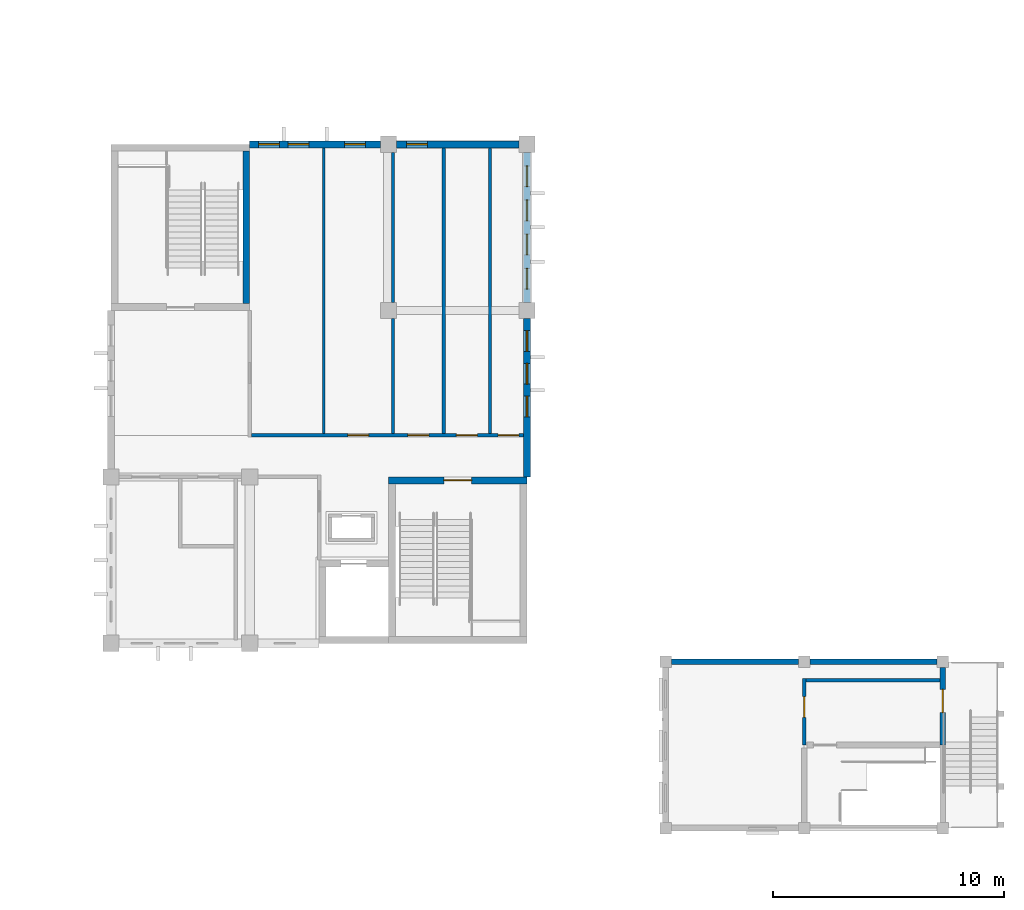
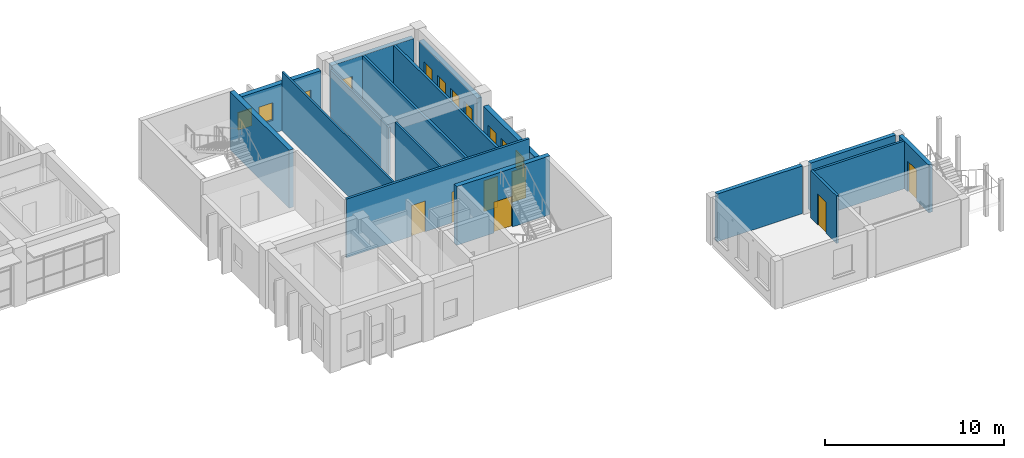
# One storey, part 35 of 47: 17 walls, 11 windows, 7 doors, 18 openings.
"""IFC4 building model written with IfcOpenShell, lengths in metres."""

from ifc_helpers import new_model, si_unit, direction, frame, frame_2d, origin, place, context, subcontext, project, spatial, rectangle, extrude, material, layer, layer_set, type_object, element, fill, save


model = new_model("IFC4")

# Units and contexts
model_context = context("Model", 3, precision=1e-05, world=origin(), true_north=direction((0.0, 1.0)))
body_context = subcontext(model_context, "Body", "Model", "MODEL_VIEW")
ifc_project = project(units=[si_unit("LENGTHUNIT", "METRE"), si_unit("AREAUNIT", "SQUARE_METRE"), si_unit("VOLUMEUNIT", "CUBIC_METRE"), si_unit("PLANEANGLEUNIT", "RADIAN"), si_unit("MASSUNIT", "GRAM", prefix="KILO")], contexts=[model_context])

# Site, building, storey
site_placement = place(None, origin())
site = spatial("IfcSite", under=ifc_project, at=site_placement, CompositionType="ELEMENT")
building_placement = place(site_placement, origin())
building = spatial("IfcBuilding", under=site, at=building_placement, Name="Laocheng Heights Fire and Rescue Headquarters", CompositionType="ELEMENT")
storey_placement = place(building_placement, frame((0.0, 0.0, 16.800048828125)))
storey = spatial("IfcBuildingStorey", under=building, at=storey_placement, Name="L04", CompositionType="ELEMENT", Elevation=16.800048828125)

# Walls
ifc_material_1 = material(Name="Gypsum plaster")
ifc_layer_1 = layer(ifc_material_1, 0.010009765625, Name="PLASTER", Category="plaster")
ifc_material_2 = material(Name="Concrete blockwork MU10", Category="masonry")
ifc_layer_2 = layer(ifc_material_2, 0.1298828125, Name="BLOCKWORK", Category="masonry")
ifc_layer_3 = layer(ifc_material_1, 0.010009765625, Name="PLASTER", Category="plaster")
ifc_layer_set_1 = layer_set([ifc_layer_1, ifc_layer_2, ifc_layer_3], Name="Concrete blockwork MU10")
wall_type_1 = type_object("IfcWallType", Name="BLOCKWORK CORRIDOR WALL 150 EI 60 CREW WING", PredefinedType="PARTITIONING", material=ifc_layer_set_1)
for number, where, z_axis, x_axis, name in (
    (1, (104.39990234375, 45.074951171875, 0.0), (0.0, 0.0, 1.0), (0.0, 1.0, 0.0), "Partition L04-008"),
    (2, (106.39990234375, 45.074951171875, 0.0), (0.0, 0.0, 1.0), (0.0, 1.0, 0.0), "Partition L04-009"),
):
    element("IfcWall", number, at=place(storey_placement, frame(where, z_axis=z_axis, x_axis=x_axis)), inside=storey, type_object=wall_type_1, Name=name, PredefinedType="PARTITIONING", context=body_context, shape_type="SweptSolid", body=[
        extrude(rectangle(XDim=12.375, YDim=0.14990234375, at=frame_2d((6.1875, 0.0))), origin(), (0.0, 0.0, 1.0), 3.300048828125),
    ])

# Wall, openings, doors
wall_1_placement = place(storey_placement, frame((96.074951171875, 45.0, 0.0), z_axis=(0.0, 0.0, 1.0), x_axis=(1.0, 0.0, 0.0)))
wall_1 = element("IfcWall", 3, at=wall_1_placement, inside=storey, type_object=wall_type_1, Name="Partition L04-012", PredefinedType="PARTITIONING", context=body_context, shape_type="SweptSolid", body=[
    extrude(rectangle(XDim=11.775146484375, YDim=0.14990234375, at=frame_2d((5.8876953125, 0.0))), origin(), (0.0, 0.0, 1.0), 4.0),
])
opening_1_placement = place(wall_1_placement, frame((4.175048828125, 0.0, 0.0)))
opening_1 = element("IfcOpeningElement", 4, at=opening_1_placement, cuts=wall_1, Name="Opening L04-T05", PredefinedType="OPENING", context=body_context, shape_type="SweptSolid", body=[
    extrude(rectangle(XDim=0.89990234375, YDim=2.10009765625, at=frame_2d((0.449951171875, 1.050048828125))), frame((0.0, 0.0849609375, 0.0), z_axis=(0.0, -1.0, 0.0), x_axis=(1.0, 0.0, 0.0)), (0.0, 0.0, 1.0), 0.169921875),
])
opening_2_placement = place(wall_1_placement, frame((6.77490234375, 0.0, 0.0)))
opening_2 = element("IfcOpeningElement", 5, at=opening_2_placement, cuts=wall_1, Name="Opening L04-T06", PredefinedType="OPENING", context=body_context, shape_type="SweptSolid", body=[
    extrude(rectangle(XDim=0.89990234375, YDim=2.10009765625, at=frame_2d((0.449951171875, 1.050048828125))), frame((0.0, 0.0849609375, 0.0), z_axis=(0.0, -1.0, 0.0), x_axis=(1.0, 0.0, 0.0)), (0.0, 0.0, 1.0), 0.169921875),
])
opening_3_placement = place(wall_1_placement, frame((8.875, 0.0, 0.0)))
opening_3 = element("IfcOpeningElement", 6, at=opening_3_placement, cuts=wall_1, Name="Opening L04-T07", PredefinedType="OPENING", context=body_context, shape_type="SweptSolid", body=[
    extrude(rectangle(XDim=0.89990234375, YDim=2.10009765625, at=frame_2d((0.449951171875, 1.050048828125))), frame((0.0, 0.0849609375, 0.0), z_axis=(0.0, -1.0, 0.0), x_axis=(1.0, 0.0, 0.0)), (0.0, 0.0, 1.0), 0.169921875),
])
opening_4_placement = place(wall_1_placement, frame((10.675048828125, 0.0, 0.0)))
opening_4 = element("IfcOpeningElement", 7, at=opening_4_placement, cuts=wall_1, Name="Opening L04-T08", PredefinedType="OPENING", context=body_context, shape_type="SweptSolid", body=[
    extrude(rectangle(XDim=0.89990234375, YDim=2.10009765625, at=frame_2d((0.449951171875, 1.050048828125))), frame((0.0, 0.0849609375, 0.0), z_axis=(0.0, -1.0, 0.0), x_axis=(1.0, 0.0, 0.0)), (0.0, 0.0, 1.0), 0.169921875),
])
ifc_material_3 = material(Name="Timber door leaf, veneered", Category="wood")
door_type_1 = type_object("IfcDoorType", Name="TIMBER DOOR 900x2100 EI 30 CREW WING", OperationType="SINGLE_SWING_LEFT", PredefinedType="DOOR", material=ifc_material_3)
door_1_placement = place(opening_1_placement, origin())
door_1 = element("IfcDoor", 8, at=door_1_placement, inside=storey, type_object=door_type_1, Name="Door L04-T05", OperationType="SINGLE_SWING_LEFT", OverallHeight=2.10009765625, OverallWidth=0.89990234375, PredefinedType="DOOR", context=body_context, shape_type="SweptSolid", body=[
    extrude(rectangle(XDim=0.89990234375, YDim=2.10009765625, at=frame_2d((0.449951171875, 1.050048828125))), frame((0.0, 0.02490234375, 0.0), z_axis=(0.0, -1.0, 0.0), x_axis=(1.0, 0.0, 0.0)), (0.0, 0.0, 1.0), 0.050048828125),
])
fill(opening_1, door_1)
door_2_placement = place(opening_2_placement, origin())
door_2 = element("IfcDoor", 9, at=door_2_placement, inside=storey, type_object=door_type_1, Name="Door L04-T06", OperationType="SINGLE_SWING_RIGHT", OverallHeight=2.10009765625, OverallWidth=0.89990234375, PredefinedType="DOOR", context=body_context, shape_type="SweptSolid", body=[
    extrude(rectangle(XDim=0.89990234375, YDim=2.10009765625, at=frame_2d((0.449951171875, 1.050048828125))), frame((0.0, 0.02490234375, 0.0), z_axis=(0.0, -1.0, 0.0), x_axis=(1.0, 0.0, 0.0)), (0.0, 0.0, 1.0), 0.050048828125),
])
fill(opening_2, door_2)
door_3_placement = place(opening_3_placement, origin())
door_3 = element("IfcDoor", 10, at=door_3_placement, inside=storey, type_object=door_type_1, Name="Door L04-T07", OperationType="SINGLE_SWING_LEFT", OverallHeight=2.10009765625, OverallWidth=0.89990234375, PredefinedType="DOOR", context=body_context, shape_type="SweptSolid", body=[
    extrude(rectangle(XDim=0.89990234375, YDim=2.10009765625, at=frame_2d((0.449951171875, 1.050048828125))), frame((0.0, 0.02490234375, 0.0), z_axis=(0.0, -1.0, 0.0), x_axis=(1.0, 0.0, 0.0)), (0.0, 0.0, 1.0), 0.050048828125),
])
fill(opening_3, door_3)
door_4_placement = place(opening_4_placement, origin())
door_4 = element("IfcDoor", 11, at=door_4_placement, inside=storey, type_object=door_type_1, Name="Door L04-T08", OperationType="SINGLE_SWING_RIGHT", OverallHeight=2.10009765625, OverallWidth=0.89990234375, PredefinedType="DOOR", context=body_context, shape_type="SweptSolid", body=[
    extrude(rectangle(XDim=0.89990234375, YDim=2.10009765625, at=frame_2d((0.449951171875, 1.050048828125))), frame((0.0, 0.02490234375, 0.0), z_axis=(0.0, -1.0, 0.0), x_axis=(1.0, 0.0, 0.0)), (0.0, 0.0, 1.0), 0.050048828125),
])
fill(opening_4, door_4)

# Wall, opening, door
ifc_material_4 = material(Name="Gypsum plaster")
ifc_layer_4 = layer(ifc_material_4, 0.010009765625, Name="PLASTER", Category="plaster")
ifc_material_5 = material(Name="Concrete blockwork MU10", Category="masonry")
ifc_layer_5 = layer(ifc_material_5, 0.1298828125, Name="BLOCKWORK", Category="masonry")
ifc_layer_6 = layer(ifc_material_4, 0.010009765625, Name="PLASTER", Category="plaster")
ifc_layer_set_2 = layer_set([ifc_layer_4, ifc_layer_5, ifc_layer_6], Name="Concrete blockwork MU10")
wall_type_2 = type_object("IfcWallType", Name="BLOCKWORK STAIR LANDING WALL 150 EI 120 DRILL TOWER", PredefinedType="PARTITIONING", material=ifc_layer_set_2)
wall_2_placement = place(storey_placement, frame((120.0, 31.60009765625, 0.699951171875), z_axis=(0.0, 0.0, 1.0), x_axis=(0.0, 1.0, 0.0)))
wall_2 = element("IfcWall", 12, at=wall_2_placement, inside=storey, type_object=wall_type_2, Name="Landing partition F6", PredefinedType="PARTITIONING", context=body_context, shape_type="SweptSolid", body=[
    extrude(rectangle(XDim=2.875, YDim=0.14990234375, at=frame_2d((1.4375, 0.0))), origin(), (0.0, 0.0, 1.0), 3.25),
])
opening_5_placement = place(wall_2_placement, frame((1.1875, 0.0, 0.0)))
opening_5 = element("IfcOpeningElement", 13, at=opening_5_placement, cuts=wall_2, Name="Opening L04-L51", PredefinedType="OPENING", context=body_context, shape_type="SweptSolid", body=[
    extrude(rectangle(XDim=0.89990234375, YDim=2.10009765625, at=frame_2d((0.449951171875, 1.050048828125))), frame((0.0, 0.0849609375, 0.0), z_axis=(0.0, -1.0, 0.0), x_axis=(1.0, 0.0, 0.0)), (0.0, 0.0, 1.0), 0.169921875),
])
ifc_material_6 = material(Name="Steel door leaf, painted", Category="steel")
door_type_2 = type_object("IfcDoorType", Name="STEEL FIRE DOOR 900x2100 EI 90 DRILL TOWER", OperationType="SINGLE_SWING_LEFT", PredefinedType="DOOR", material=ifc_material_6)
door_5_placement = place(opening_5_placement, frame((0.89990234375, 0.0, 0.0), z_axis=(0.0, 0.0, 1.0), x_axis=(-1.0, 0.0, 0.0)))
door_5 = element("IfcDoor", 14, at=door_5_placement, inside=storey, type_object=door_type_2, Name="Door L04-L51", OperationType="SINGLE_SWING_LEFT", OverallHeight=2.10009765625, OverallWidth=0.89990234375, PredefinedType="DOOR", context=body_context, shape_type="SweptSolid", body=[
    extrude(rectangle(XDim=0.89990234375, YDim=2.10009765625, at=frame_2d((0.449951171875, 1.050048828125))), frame((0.0, 0.02490234375, 0.0), z_axis=(0.0, -1.0, 0.0), x_axis=(1.0, 0.0, 0.0)), (0.0, 0.0, 1.0), 0.050048828125),
])
fill(opening_5, door_5)

# Wall
wall_3_placement = place(storey_placement, frame((120.074951171875, 34.39990234375, 0.699951171875), z_axis=(0.0, 0.0, 1.0), x_axis=(1.0, 0.0, 0.0)))
element("IfcWall", 15, at=wall_3_placement, inside=storey, type_object=wall_type_2, Name="Landing partition F6", PredefinedType="PARTITIONING", context=body_context, shape_type="SweptSolid", body=[
    extrude(rectangle(XDim=5.800048828125, YDim=0.14990234375, at=frame_2d((2.89990234375, 0.0))), origin(), (0.0, 0.0, 1.0), 3.25),
])

# Wall, openings, windows
ifc_material_7 = material(Name="Precast concrete C40/50", Category="concrete")
ifc_layer_7 = layer(ifc_material_7, 0.300048828125)
ifc_layer_set_3 = layer_set([ifc_layer_7], Name="Precast concrete C40/50")
wall_type_3 = type_object("IfcWallType", Name="PRECAST WALL PANEL CREW 300", PredefinedType="SOLIDWALL", material=ifc_layer_set_3)
wall_4_placement = place(storey_placement, frame((108.0, 43.199951171875, 0.0), z_axis=(0.0, 0.0, 1.0), x_axis=(0.0, 1.0, 0.0)))
wall_4 = element("IfcWall", 16, at=wall_4_placement, inside=storey, type_object=wall_type_3, Name="PRECAST WALL PANEL CREW CREW EAST L04", PredefinedType="SOLIDWALL", context=body_context, shape_type="SweptSolid", body=[
    extrude(rectangle(XDim=6.85009765625, YDim=0.300048828125, at=frame_2d((3.425048828125, 0.0))), origin(), (0.0, 0.0, 1.0), 3.099853515625),
])
opening_6_placement = place(wall_4_placement, frame((2.597412109375, 0.0, 0.89990234375)))
opening_6 = element("IfcOpeningElement", 17, at=opening_6_placement, cuts=wall_4, Name="Opening N2-W", PredefinedType="OPENING", context=body_context, shape_type="SweptSolid", body=[
    extrude(rectangle(XDim=0.89990234375, YDim=1.199951171875, at=frame_2d((0.449951171875, 0.60009765625))), frame((0.0, 0.159912109375, 0.0), z_axis=(0.0, -1.0, 0.0), x_axis=(1.0, 0.0, 0.0)), (0.0, 0.0, 1.0), 0.320068359375),
])
opening_7_placement = place(wall_4_placement, frame((4.014892578125, 0.0, 0.89990234375)))
opening_7 = element("IfcOpeningElement", 18, at=opening_7_placement, cuts=wall_4, Name="Opening N2-W", PredefinedType="OPENING", context=body_context, shape_type="SweptSolid", body=[
    extrude(rectangle(XDim=0.89990234375, YDim=1.199951171875, at=frame_2d((0.449951171875, 0.60009765625))), frame((0.0, 0.159912109375, 0.0), z_axis=(0.0, -1.0, 0.0), x_axis=(1.0, 0.0, 0.0)), (0.0, 0.0, 1.0), 0.320068359375),
])
opening_8_placement = place(wall_4_placement, frame((5.4326171875, 0.0, 0.89990234375)))
opening_8 = element("IfcOpeningElement", 19, at=opening_8_placement, cuts=wall_4, Name="Opening N2-W", PredefinedType="OPENING", context=body_context, shape_type="SweptSolid", body=[
    extrude(rectangle(XDim=0.89990234375, YDim=1.199951171875, at=frame_2d((0.449951171875, 0.60009765625))), frame((0.0, 0.159912109375, 0.0), z_axis=(0.0, -1.0, 0.0), x_axis=(1.0, 0.0, 0.0)), (0.0, 0.0, 1.0), 0.320068359375),
])
ifc_material_8 = material(Name="Low-e double glazing in aluminium frame", Category="aluminium")
window_type = type_object("IfcWindowType", Name="WINDOW 900 x 1200 CREW DORMITORY", PartitioningType="SINGLE_PANEL", PredefinedType="WINDOW", material=ifc_material_8)
window_1_placement = place(opening_6_placement, origin())
window_1 = element("IfcWindow", 20, at=window_1_placement, inside=storey, type_object=window_type, Name="CREW DORMITORY CREW EAST L04", OverallHeight=1.199951171875, OverallWidth=0.89990234375, PartitioningType="SINGLE_PANEL", PredefinedType="WINDOW", context=body_context, shape_type="SweptSolid", body=[
    extrude(rectangle(XDim=0.89990234375, YDim=1.199951171875, at=frame_2d((0.449951171875, 0.60009765625))), frame((0.0, 0.030029296875, 0.0), z_axis=(0.0, -1.0, 0.0), x_axis=(1.0, 0.0, 0.0)), (0.0, 0.0, 1.0), 0.06005859375),
])
fill(opening_6, window_1)
window_2_placement = place(opening_7_placement, origin())
window_2 = element("IfcWindow", 21, at=window_2_placement, inside=storey, type_object=window_type, Name="CREW DORMITORY CREW EAST L04", OverallHeight=1.199951171875, OverallWidth=0.89990234375, PartitioningType="SINGLE_PANEL", PredefinedType="WINDOW", context=body_context, shape_type="SweptSolid", body=[
    extrude(rectangle(XDim=0.89990234375, YDim=1.199951171875, at=frame_2d((0.449951171875, 0.60009765625))), frame((0.0, 0.030029296875, 0.0), z_axis=(0.0, -1.0, 0.0), x_axis=(1.0, 0.0, 0.0)), (0.0, 0.0, 1.0), 0.06005859375),
])
fill(opening_7, window_2)
window_3_placement = place(opening_8_placement, origin())
window_3 = element("IfcWindow", 22, at=window_3_placement, inside=storey, type_object=window_type, Name="CREW DORMITORY CREW EAST L04", OverallHeight=1.199951171875, OverallWidth=0.89990234375, PartitioningType="SINGLE_PANEL", PredefinedType="WINDOW", context=body_context, shape_type="SweptSolid", body=[
    extrude(rectangle(XDim=0.89990234375, YDim=1.199951171875, at=frame_2d((0.449951171875, 0.60009765625))), frame((0.0, 0.030029296875, 0.0), z_axis=(0.0, -1.0, 0.0), x_axis=(1.0, 0.0, 0.0)), (0.0, 0.0, 1.0), 0.06005859375),
])
fill(opening_8, window_3)

wall_5_placement = place(storey_placement, frame((108.0, 50.75, 0.0), z_axis=(0.0, 0.0, 1.0), x_axis=(0.0, 1.0, 0.0)))
wall_5 = element("IfcWall", 23, at=wall_5_placement, inside=storey, type_object=wall_type_3, Name="PRECAST WALL PANEL CREW CREW EAST L04", PredefinedType="SOLIDWALL", context=body_context, shape_type="SweptSolid", body=[
    extrude(rectangle(XDim=6.5, YDim=0.300048828125, at=frame_2d((3.25, 0.0))), origin(), (0.0, 0.0, 1.0), 3.199951171875),
])
opening_9_placement = place(wall_5_placement, frame((0.580078125, 0.0, 0.89990234375)))
opening_9 = element("IfcOpeningElement", 24, at=opening_9_placement, cuts=wall_5, Name="Opening N2-W", PredefinedType="OPENING", context=body_context, shape_type="SweptSolid", body=[
    extrude(rectangle(XDim=0.89990234375, YDim=1.199951171875, at=frame_2d((0.449951171875, 0.60009765625))), frame((0.0, 0.159912109375, 0.0), z_axis=(0.0, -1.0, 0.0), x_axis=(1.0, 0.0, 0.0)), (0.0, 0.0, 1.0), 0.320068359375),
])
opening_10_placement = place(wall_5_placement, frame((2.06005859375, 0.0, 0.89990234375)))
opening_10 = element("IfcOpeningElement", 25, at=opening_10_placement, cuts=wall_5, Name="Opening N2-W", PredefinedType="OPENING", context=body_context, shape_type="SweptSolid", body=[
    extrude(rectangle(XDim=0.89990234375, YDim=1.199951171875, at=frame_2d((0.449951171875, 0.60009765625))), frame((0.0, 0.159912109375, 0.0), z_axis=(0.0, -1.0, 0.0), x_axis=(1.0, 0.0, 0.0)), (0.0, 0.0, 1.0), 0.320068359375),
])
opening_11_placement = place(wall_5_placement, frame((3.5400390625, 0.0, 0.89990234375)))
opening_11 = element("IfcOpeningElement", 26, at=opening_11_placement, cuts=wall_5, Name="Opening N2-W", PredefinedType="OPENING", context=body_context, shape_type="SweptSolid", body=[
    extrude(rectangle(XDim=0.89990234375, YDim=1.199951171875, at=frame_2d((0.449951171875, 0.60009765625))), frame((0.0, 0.159912109375, 0.0), z_axis=(0.0, -1.0, 0.0), x_axis=(1.0, 0.0, 0.0)), (0.0, 0.0, 1.0), 0.320068359375),
])
opening_12_placement = place(wall_5_placement, frame((5.02001953125, 0.0, 0.89990234375)))
opening_12 = element("IfcOpeningElement", 27, at=opening_12_placement, cuts=wall_5, Name="Opening N2-W", PredefinedType="OPENING", context=body_context, shape_type="SweptSolid", body=[
    extrude(rectangle(XDim=0.89990234375, YDim=1.199951171875, at=frame_2d((0.449951171875, 0.60009765625))), frame((0.0, 0.159912109375, 0.0), z_axis=(0.0, -1.0, 0.0), x_axis=(1.0, 0.0, 0.0)), (0.0, 0.0, 1.0), 0.320068359375),
])
window_4_placement = place(opening_9_placement, origin())
window_4 = element("IfcWindow", 28, at=window_4_placement, inside=storey, type_object=window_type, Name="CREW DORMITORY CREW EAST L04", OverallHeight=1.199951171875, OverallWidth=0.89990234375, PartitioningType="SINGLE_PANEL", PredefinedType="WINDOW", context=body_context, shape_type="SweptSolid", body=[
    extrude(rectangle(XDim=0.89990234375, YDim=1.199951171875, at=frame_2d((0.449951171875, 0.60009765625))), frame((0.0, 0.030029296875, 0.0), z_axis=(0.0, -1.0, 0.0), x_axis=(1.0, 0.0, 0.0)), (0.0, 0.0, 1.0), 0.06005859375),
])
fill(opening_9, window_4)
window_5_placement = place(opening_10_placement, origin())
window_5 = element("IfcWindow", 29, at=window_5_placement, inside=storey, type_object=window_type, Name="CREW DORMITORY CREW EAST L04", OverallHeight=1.199951171875, OverallWidth=0.89990234375, PartitioningType="SINGLE_PANEL", PredefinedType="WINDOW", context=body_context, shape_type="SweptSolid", body=[
    extrude(rectangle(XDim=0.89990234375, YDim=1.199951171875, at=frame_2d((0.449951171875, 0.60009765625))), frame((0.0, 0.030029296875, 0.0), z_axis=(0.0, -1.0, 0.0), x_axis=(1.0, 0.0, 0.0)), (0.0, 0.0, 1.0), 0.06005859375),
])
fill(opening_10, window_5)
window_6_placement = place(opening_11_placement, origin())
window_6 = element("IfcWindow", 30, at=window_6_placement, inside=storey, type_object=window_type, Name="CREW DORMITORY CREW EAST L04", OverallHeight=1.199951171875, OverallWidth=0.89990234375, PartitioningType="SINGLE_PANEL", PredefinedType="WINDOW", context=body_context, shape_type="SweptSolid", body=[
    extrude(rectangle(XDim=0.89990234375, YDim=1.199951171875, at=frame_2d((0.449951171875, 0.60009765625))), frame((0.0, 0.030029296875, 0.0), z_axis=(0.0, -1.0, 0.0), x_axis=(1.0, 0.0, 0.0)), (0.0, 0.0, 1.0), 0.06005859375),
])
fill(opening_11, window_6)
window_7_placement = place(opening_12_placement, origin())
window_7 = element("IfcWindow", 31, at=window_7_placement, inside=storey, type_object=window_type, Name="CREW DORMITORY CREW EAST L04", OverallHeight=1.199951171875, OverallWidth=0.89990234375, PartitioningType="SINGLE_PANEL", PredefinedType="WINDOW", context=body_context, shape_type="SweptSolid", body=[
    extrude(rectangle(XDim=0.89990234375, YDim=1.199951171875, at=frame_2d((0.449951171875, 0.60009765625))), frame((0.0, 0.030029296875, 0.0), z_axis=(0.0, -1.0, 0.0), x_axis=(1.0, 0.0, 0.0)), (0.0, 0.0, 1.0), 0.06005859375),
])
fill(opening_12, window_7)

wall_6_placement = place(storey_placement, frame((96.0, 57.60009765625, 0.0), z_axis=(0.0, 0.0, 1.0), x_axis=(1.0, 0.0, 0.0)))
wall_6 = element("IfcWall", 32, at=wall_6_placement, inside=storey, type_object=wall_type_3, Name="PRECAST WALL PANEL CREW CREW NORTH L04", PredefinedType="SOLIDWALL", context=body_context, shape_type="SweptSolid", body=[
    extrude(rectangle(XDim=5.64990234375, YDim=0.300048828125, at=frame_2d((2.824951171875, 0.0))), origin(), (0.0, 0.0, 1.0), 3.199951171875),
])
opening_13_placement = place(wall_6_placement, frame((0.3798828125, 0.0, 0.89990234375)))
opening_13 = element("IfcOpeningElement", 33, at=opening_13_placement, cuts=wall_6, Name="Opening N2-W", PredefinedType="OPENING", context=body_context, shape_type="SweptSolid", body=[
    extrude(rectangle(XDim=0.89990234375, YDim=1.199951171875, at=frame_2d((0.449951171875, 0.60009765625))), frame((0.0, 0.159912109375, 0.0), z_axis=(0.0, -1.0, 0.0), x_axis=(1.0, 0.0, 0.0)), (0.0, 0.0, 1.0), 0.320068359375),
])
opening_14_placement = place(wall_6_placement, frame((1.659912109375, 0.0, 0.89990234375)))
opening_14 = element("IfcOpeningElement", 34, at=opening_14_placement, cuts=wall_6, Name="Opening N2-W", PredefinedType="OPENING", context=body_context, shape_type="SweptSolid", body=[
    extrude(rectangle(XDim=0.89990234375, YDim=1.199951171875, at=frame_2d((0.449951171875, 0.60009765625))), frame((0.0, 0.159912109375, 0.0), z_axis=(0.0, -1.0, 0.0), x_axis=(1.0, 0.0, 0.0)), (0.0, 0.0, 1.0), 0.320068359375),
])
opening_15_placement = place(wall_6_placement, frame((4.10498046875, 0.0, 0.89990234375)))
opening_15 = element("IfcOpeningElement", 35, at=opening_15_placement, cuts=wall_6, Name="Opening N2-W", PredefinedType="OPENING", context=body_context, shape_type="SweptSolid", body=[
    extrude(rectangle(XDim=0.89990234375, YDim=1.199951171875, at=frame_2d((0.449951171875, 0.60009765625))), frame((0.0, 0.159912109375, 0.0), z_axis=(0.0, -1.0, 0.0), x_axis=(1.0, 0.0, 0.0)), (0.0, 0.0, 1.0), 0.320068359375),
])
window_8_placement = place(opening_13_placement, origin())
window_8 = element("IfcWindow", 36, at=window_8_placement, inside=storey, type_object=window_type, Name="CREW DORMITORY CREW NORTH L04", OverallHeight=1.199951171875, OverallWidth=0.89990234375, PartitioningType="SINGLE_PANEL", PredefinedType="WINDOW", context=body_context, shape_type="SweptSolid", body=[
    extrude(rectangle(XDim=0.89990234375, YDim=1.199951171875, at=frame_2d((0.449951171875, 0.60009765625))), frame((0.0, 0.030029296875, 0.0), z_axis=(0.0, -1.0, 0.0), x_axis=(1.0, 0.0, 0.0)), (0.0, 0.0, 1.0), 0.06005859375),
])
fill(opening_13, window_8)
window_9_placement = place(opening_14_placement, origin())
window_9 = element("IfcWindow", 37, at=window_9_placement, inside=storey, type_object=window_type, Name="CREW DORMITORY CREW NORTH L04", OverallHeight=1.199951171875, OverallWidth=0.89990234375, PartitioningType="SINGLE_PANEL", PredefinedType="WINDOW", context=body_context, shape_type="SweptSolid", body=[
    extrude(rectangle(XDim=0.89990234375, YDim=1.199951171875, at=frame_2d((0.449951171875, 0.60009765625))), frame((0.0, 0.030029296875, 0.0), z_axis=(0.0, -1.0, 0.0), x_axis=(1.0, 0.0, 0.0)), (0.0, 0.0, 1.0), 0.06005859375),
])
fill(opening_14, window_9)
window_10_placement = place(opening_15_placement, origin())
window_10 = element("IfcWindow", 38, at=window_10_placement, inside=storey, type_object=window_type, Name="CREW DORMITORY CREW NORTH L04", OverallHeight=1.199951171875, OverallWidth=0.89990234375, PartitioningType="SINGLE_PANEL", PredefinedType="WINDOW", context=body_context, shape_type="SweptSolid", body=[
    extrude(rectangle(XDim=0.89990234375, YDim=1.199951171875, at=frame_2d((0.449951171875, 0.60009765625))), frame((0.0, 0.030029296875, 0.0), z_axis=(0.0, -1.0, 0.0), x_axis=(1.0, 0.0, 0.0)), (0.0, 0.0, 1.0), 0.06005859375),
])
fill(opening_15, window_10)

# Wall, opening, window
wall_7_placement = place(storey_placement, frame((102.35009765625, 57.60009765625, 0.0), z_axis=(0.0, 0.0, 1.0), x_axis=(1.0, 0.0, 0.0)))
wall_7 = element("IfcWall", 39, at=wall_7_placement, inside=storey, type_object=wall_type_3, Name="PRECAST WALL PANEL CREW CREW NORTH L04", PredefinedType="SOLIDWALL", context=body_context, shape_type="SweptSolid", body=[
    extrude(rectangle(XDim=5.2998046875, YDim=0.300048828125, at=frame_2d((2.64990234375, 0.0))), origin(), (0.0, 0.0, 1.0), 3.300048828125),
])
opening_16_placement = place(wall_7_placement, frame((0.43994140625, 0.0, 0.89990234375)))
opening_16 = element("IfcOpeningElement", 40, at=opening_16_placement, cuts=wall_7, Name="Opening N2-W", PredefinedType="OPENING", context=body_context, shape_type="SweptSolid", body=[
    extrude(rectangle(XDim=0.89990234375, YDim=1.199951171875, at=frame_2d((0.449951171875, 0.60009765625))), frame((0.0, 0.159912109375, 0.0), z_axis=(0.0, -1.0, 0.0), x_axis=(1.0, 0.0, 0.0)), (0.0, 0.0, 1.0), 0.320068359375),
])
window_11_placement = place(opening_16_placement, origin())
window_11 = element("IfcWindow", 41, at=window_11_placement, inside=storey, type_object=window_type, Name="CREW DORMITORY CREW NORTH L04", OverallHeight=1.199951171875, OverallWidth=0.89990234375, PartitioningType="SINGLE_PANEL", PredefinedType="WINDOW", context=body_context, shape_type="SweptSolid", body=[
    extrude(rectangle(XDim=0.89990234375, YDim=1.199951171875, at=frame_2d((0.449951171875, 0.60009765625))), frame((0.0, 0.030029296875, 0.0), z_axis=(0.0, -1.0, 0.0), x_axis=(1.0, 0.0, 0.0)), (0.0, 0.0, 1.0), 0.06005859375),
])
fill(opening_16, window_11)

# Walls
ifc_material_9 = material(Name="Concrete C40", Category="concrete")
ifc_layer_8 = layer(ifc_material_9, 0.25)
ifc_layer_set_4 = layer_set([ifc_layer_8], Name="Concrete C40")
wall_type_4 = type_object("IfcWallType", Name="RC SHEAR WALL 250 BOARD-MARKED DRILL TOWER", PredefinedType="SHEAR", material=ifc_layer_set_4)
for number, where, z_axis, x_axis, name in (
    (42, (114.25, 35.199951171875, 0.699951171875), (0.0, 0.0, 1.0), (1.0, 0.0, 0.0), "Drill tower wall N F6"),
    (43, (120.25, 35.199951171875, 0.699951171875), (0.0, 0.0, 1.0), (1.0, 0.0, 0.0), "Drill tower wall N F6"),
):
    element("IfcWall", number, at=place(storey_placement, frame(where, z_axis=z_axis, x_axis=x_axis)), inside=storey, type_object=wall_type_4, Name=name, PredefinedType="SHEAR", context=body_context, shape_type="SweptSolid", body=[
        extrude(rectangle(XDim=5.5, YDim=0.25, at=frame_2d((2.75, 0.0))), origin(), (0.0, 0.0, 1.0), 3.25),
    ])

# Wall, opening, door
wall_8_placement = place(storey_placement, frame((126.0, 31.60009765625, 0.699951171875), z_axis=(0.0, 0.0, 1.0), x_axis=(0.0, 1.0, 0.0)))
wall_8 = element("IfcWall", 44, at=wall_8_placement, inside=storey, type_object=wall_type_4, Name="Drill tower wall E F6", PredefinedType="SHEAR", context=body_context, shape_type="SweptSolid", body=[
    extrude(rectangle(XDim=3.349853515625, YDim=0.25, at=frame_2d((1.6748046875, 0.0))), origin(), (0.0, 0.0, 1.0), 3.25),
])
opening_17_placement = place(wall_8_placement, frame((1.39990234375, 0.0, 0.0)))
opening_17 = element("IfcOpeningElement", 45, at=opening_17_placement, cuts=wall_8, Name="Opening L04-L01", PredefinedType="OPENING", context=body_context, shape_type="SweptSolid", body=[
    extrude(rectangle(XDim=1.0, YDim=2.10009765625, at=frame_2d((0.5, 1.050048828125))), frame((0.0, 0.135009765625, 0.0), z_axis=(0.0, -1.0, 0.0), x_axis=(1.0, 0.0, 0.0)), (0.0, 0.0, 1.0), 0.27001953125),
])
ifc_material_10 = material(Name="Steel door leaf, painted", Category="steel")
door_type_3 = type_object("IfcDoorType", Name="STEEL DOOR 1000x2100 EI 60 DRILL TOWER", OperationType="SINGLE_SWING_LEFT", PredefinedType="DOOR", material=ifc_material_10)
door_6_placement = place(opening_17_placement, origin())
door_6 = element("IfcDoor", 46, at=door_6_placement, inside=storey, type_object=door_type_3, Name="Door L04-L01", OperationType="SINGLE_SWING_RIGHT", OverallHeight=2.10009765625, OverallWidth=1.0, PredefinedType="DOOR", context=body_context, shape_type="SweptSolid", body=[
    extrude(rectangle(XDim=1.0, YDim=2.10009765625, at=frame_2d((0.5, 1.050048828125))), frame((0.0, 0.02490234375, 0.0), z_axis=(0.0, -1.0, 0.0), x_axis=(1.0, 0.0, 0.0)), (0.0, 0.0, 1.0), 0.050048828125),
])
fill(opening_17, door_6)

ifc_material_11 = material(Name="Concrete C50", Category="concrete")
ifc_layer_9 = layer(ifc_material_11, 0.300048828125)
ifc_layer_set_5 = layer_set([ifc_layer_9], Name="Concrete C50")
wall_type_5 = type_object("IfcWallType", Name="RC STAIR ENCLOSURE WALL 300", PredefinedType="SHEAR", material=ifc_layer_set_5)
wall_9_placement = place(storey_placement, frame((102.0, 43.050048828125, 0.0), z_axis=(0.0, 0.0, 1.0), x_axis=(1.0, 0.0, 0.0)))
wall_9 = element("IfcWall", 47, at=wall_9_placement, inside=storey, type_object=wall_type_5, Name="Stair enclosure wall", PredefinedType="SHEAR", context=body_context, shape_type="SweptSolid", body=[
    extrude(rectangle(XDim=6.0, YDim=0.300048828125, at=frame_2d((3.0, 0.0))), origin(), (0.0, 0.0, 1.0), 4.0),
])
opening_18_placement = place(wall_9_placement, frame((2.39990234375, 0.0, 0.0)))
opening_18 = element("IfcOpeningElement", 48, at=opening_18_placement, cuts=wall_9, Name="Opening L04-K05", PredefinedType="OPENING", context=body_context, shape_type="SweptSolid", body=[
    extrude(rectangle(XDim=1.199951171875, YDim=2.10009765625, at=frame_2d((0.60009765625, 1.050048828125))), frame((0.0, 0.159912109375, 0.0), z_axis=(0.0, -1.0, 0.0), x_axis=(1.0, 0.0, 0.0)), (0.0, 0.0, 1.0), 0.320068359375),
])
ifc_material_12 = material(Name="Painted steel", Category="steel")
door_type_4 = type_object("IfcDoorType", Name="FIRE DOOR 1200x2100 EI 60", OperationType="SINGLE_SWING_LEFT", PredefinedType="DOOR", material=ifc_material_12)
door_7_placement = place(opening_18_placement, frame((1.199951171875, 0.0, 0.0), z_axis=(0.0, 0.0, 1.0), x_axis=(-1.0, 0.0, 0.0)))
door_7 = element("IfcDoor", 49, at=door_7_placement, inside=storey, type_object=door_type_4, Name="Stair C1 door", OperationType="SINGLE_SWING_RIGHT", OverallHeight=2.10009765625, OverallWidth=1.199951171875, PredefinedType="DOOR", context=body_context, shape_type="SweptSolid", body=[
    extrude(rectangle(XDim=1.199951171875, YDim=2.10009765625, at=frame_2d((0.60009765625, 1.050048828125))), frame((0.0, 0.02490234375, 0.0), z_axis=(0.0, -1.0, 0.0), x_axis=(1.0, 0.0, 0.0)), (0.0, 0.0, 1.0), 0.050048828125),
])
fill(opening_18, door_7)

# Walls
wall_10_placement = place(storey_placement, frame((95.85009765625, 50.699951171875, 0.0), z_axis=(0.0, 0.0, 1.0), x_axis=(0.0, 1.0, 0.0)))
element("IfcWall", 50, at=wall_10_placement, inside=storey, type_object=wall_type_5, Name="Stair enclosure wall", PredefinedType="SHEAR", context=body_context, shape_type="SweptSolid", body=[
    extrude(rectangle(XDim=6.60009765625, YDim=0.300048828125, at=frame_2d((3.300048828125, 0.0))), origin(), (0.0, 0.0, 1.0), 3.949951171875),
])
ifc_material_13 = material(Name="Gypsum plasterboard")
ifc_layer_10 = layer(ifc_material_13, 0.02490234375, Name="OUTER PLASTERBOARD", Category="board")
ifc_material_14 = material(Name="Steel studs with mineral wool fill", Category="steel")
ifc_layer_11 = layer(ifc_material_14, 0.070068359375, Name="STEEL STUD AND MINERAL WOOL", Category="insulation")
ifc_layer_12 = layer(ifc_material_13, 0.02490234375, Name="INNER PLASTERBOARD", Category="board")
ifc_layer_set_6 = layer_set([ifc_layer_10, ifc_layer_11, ifc_layer_12], Name="Gypsum board on steel stud")
wall_type_6 = type_object("IfcWallType", Name="STUD PARTITION 120 EI 45 CREW WING", PredefinedType="PARTITIONING", material=ifc_layer_set_6)
wall_11_placement = place(storey_placement, frame((99.199951171875, 45.074951171875, 0.0), z_axis=(0.0, 0.0, 1.0), x_axis=(0.0, 1.0, 0.0)))
element("IfcWall", 51, at=wall_11_placement, inside=storey, type_object=wall_type_6, Name="Partition L04-005", PredefinedType="PARTITIONING", context=body_context, shape_type="SweptSolid", body=[
    extrude(rectangle(XDim=12.375, YDim=0.1201171875, at=frame_2d((6.1875, 0.0))), origin(), (0.0, 0.0, 1.0), 4.0),
])
wall_12_placement = place(storey_placement, frame((102.199951171875, 45.074951171875, 0.0), z_axis=(0.0, 0.0, 1.0), x_axis=(0.0, 1.0, 0.0)))
element("IfcWall", 52, at=wall_12_placement, inside=storey, type_object=wall_type_6, Name="Partition L04-006", PredefinedType="PARTITIONING", context=body_context, shape_type="SweptSolid", body=[
    extrude(rectangle(XDim=4.97509765625, YDim=0.1201171875, at=frame_2d((2.487548828125, 0.0))), origin(), (0.0, 0.0, 1.0), 4.0),
])
wall_13_placement = place(storey_placement, frame((102.199951171875, 50.75, 0.0), z_axis=(0.0, 0.0, 1.0), x_axis=(0.0, 1.0, 0.0)))
element("IfcWall", 53, at=wall_13_placement, inside=storey, type_object=wall_type_6, Name="Partition L04-007", PredefinedType="PARTITIONING", context=body_context, shape_type="SweptSolid", body=[
    extrude(rectangle(XDim=6.5, YDim=0.1201171875, at=frame_2d((3.25, 0.0))), origin(), (0.0, 0.0, 1.0), 3.199951171875),
])

save(model, "model.ifc")
